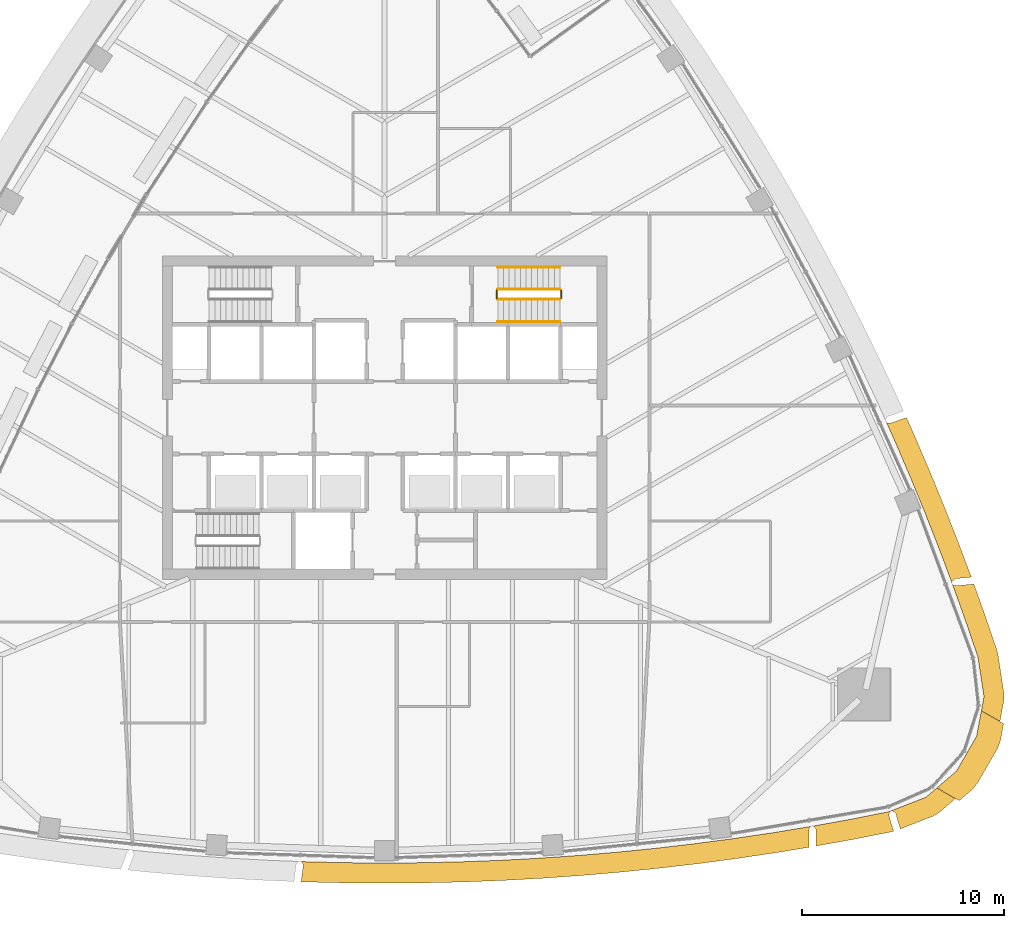
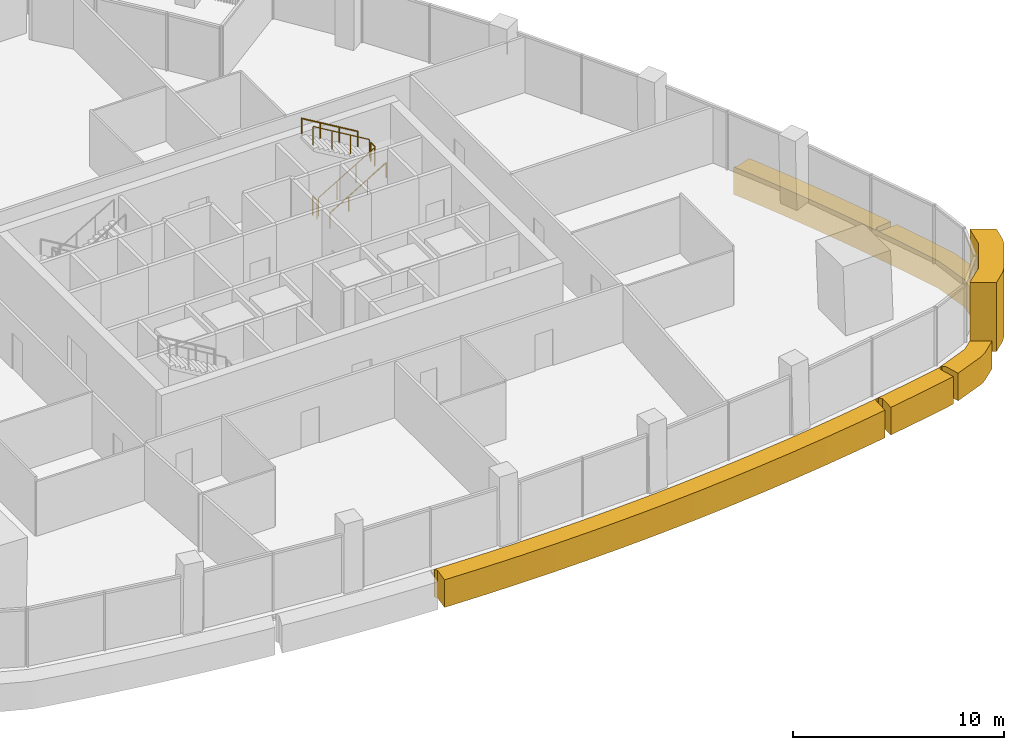
# One storey, part 16 of 19: 6 railings, 3 coverings.
"""IFC4 building model written with IfcOpenShell, lengths in metres."""

from ifc_helpers import new_model, si_unit, direction, frame, origin, origin_2d, place, context, subcontext, project, spatial, polyline, circle, outline, extrude, material, layer, layer_set, type_object, element, save


model = new_model("IFC4")

# Units and contexts
model_context = context("Model", 3, precision=1e-05, world=origin(), true_north=direction((0.0, 1.0)))
body_context = subcontext(model_context, "Body", "Model", "MODEL_VIEW")
ifc_project = project(units=[si_unit("LENGTHUNIT", "METRE"), si_unit("AREAUNIT", "SQUARE_METRE"), si_unit("VOLUMEUNIT", "CUBIC_METRE"), si_unit("PLANEANGLEUNIT", "RADIAN"), si_unit("MASSUNIT", "GRAM", prefix="KILO")], contexts=[model_context])

# Site, building, storey
site_placement = place(None, origin())
site = spatial("IfcSite", under=ifc_project, at=site_placement, CompositionType="ELEMENT")
building_placement = place(site_placement, origin())
building = spatial("IfcBuilding", under=site, at=building_placement, Name="Sierra Prisma Convention Tower", CompositionType="ELEMENT")
storey_placement = place(building_placement, frame((0.0, 0.0, 173.800048828125)))
storey = spatial("IfcBuildingStorey", under=building, at=storey_placement, Name="L38", CompositionType="ELEMENT", Elevation=173.800048828125)

# Coverings
ifc_material_1 = material(Name="Aluminium composite bronze anodised", Category="aluminium")
ifc_layer_1 = layer(ifc_material_1, 1.199951171875)
ifc_layer_set_1 = layer_set([ifc_layer_1], Name="Bronze corner pier")
covering_type_1 = type_object("IfcCoveringType", Name="Bronze corner pier", PredefinedType="CLADDING", material=ifc_layer_set_1)
covering_1_placement = place(storey_placement, frame((0.0, 0.0, -0.60009765625)))
element("IfcCovering", 1, at=covering_1_placement, inside=storey, type_object=covering_type_1, Name="Corner pier SE L38.1", PredefinedType="CLADDING", context=body_context, shape_type="SweptSolid", body=[
    extrude(outline(polyline([(30.472900390625, -15.98583984375), (30.332763671875, -16.3642578125), (29.338134765625, -18.086669921875), (29.08056640625, -18.397216796875), (28.430908203125, -18.954833984375), (27.329345703125, -18.319091796875), (28.299072265625, -17.48681640625), (29.29345703125, -15.764404296875), (29.529296875, -14.50830078125), (30.630859375, -15.144287109375), (30.472900390625, -15.98583984375)])), origin(), (0.0, 0.0, 1.0), 4.0),
])
ifc_material_2 = material(Name="Aluminium composite bronze anodised", Category="aluminium")
ifc_layer_2 = layer(ifc_material_2, 1.0)
ifc_layer_set_2 = layer_set([ifc_layer_2], Name="Bronze spandrel band")
covering_type_2 = type_object("IfcCoveringType", Name="Bronze spandrel band", PredefinedType="CLADDING", material=ifc_layer_set_2)
covering_2_placement = place(storey_placement, frame((0.0, 0.0, -1.60009765625)))
element("IfcCovering", 2, at=covering_2_placement, inside=storey, type_object=covering_type_2, Name="Spandrel band L38.4", PredefinedType="CLADDING", context=body_context, shape_type="SweptSolid", body=[
    extrude(outline(polyline([(28.33837890625, -6.0380859375), (29.01904296875, -7.845703125), (29.0244140625, -7.8603515625), (29.034912109375, -7.889892578125), (28.230712890625, -7.96923828125), (28.2255859375, -7.969970703125), (28.220947265625, -7.97119140625), (28.21630859375, -7.972900390625), (28.2119140625, -7.97509765625), (28.20751953125, -7.9775390625), (28.20361328125, -7.980712890625), (28.199951171875, -7.98388671875), (28.082275390625, -8.103759765625), (28.0791015625, -8.107421875), (28.076416015625, -8.111083984375), (28.073974609375, -8.115234375), (28.07177734375, -8.119384765625), (28.0703125, -8.123779296875), (28.069091796875, -8.12841796875), (28.068115234375, -8.13330078125), (28.06787109375, -8.137939453125), (28.068115234375, -8.142578125), (28.068603515625, -8.147216796875), (28.069580078125, -8.152099609375), (28.071044921875, -8.156494140625), (28.1064453125, -8.25), (28.1083984375, -8.254638671875), (28.11083984375, -8.2587890625), (28.113525390625, -8.262939453125), (28.11669921875, -8.2666015625), (28.120361328125, -8.270263671875), (28.124267578125, -8.273193359375), (28.12841796875, -8.27587890625), (28.1328125, -8.278076171875), (28.137451171875, -8.27978515625), (28.244384765625, -8.315185546875), (28.24951171875, -8.316650390625), (28.254638671875, -8.3173828125), (28.259765625, -8.317626953125), (28.264892578125, -8.3173828125), (29.15673828125, -8.2294921875), (29.676513671875, -9.67822265625), (29.681640625, -9.69287109375), (30.3056640625, -11.520751953125), (30.34765625, -11.692138671875), (30.649169921875, -13.657958984375), (30.6435546875, -13.994384765625), (30.44921875, -15.028076171875), (29.53125, -14.498046875), (29.66064453125, -13.8095703125), (29.359130859375, -11.84375), (28.7353515625, -10.015869140625), (28.0830078125, -8.197998046875), (27.402587890625, -6.390380859375), (26.694091796875, -4.59375), (25.95751953125, -2.808349609375), (25.193603515625, -1.03466796875), (24.83349609375, -0.233642578125), (24.83544921875, -0.236083984375), (24.8388671875, -0.239501953125), (24.84228515625, -0.24267578125), (24.846435546875, -0.24560546875), (24.8505859375, -0.247802734375), (24.85498046875, -0.25), (24.859619140625, -0.25146484375), (24.864501953125, -0.25244140625), (24.994384765625, -0.27587890625), (24.99951171875, -0.2763671875), (25.004638671875, -0.276611328125), (25.009765625, -0.276123046875), (25.014892578125, -0.275146484375), (25.019775390625, -0.273681640625), (25.822265625, 0.005859375), (26.105712890625, -0.624755859375), (26.11181640625, -0.638916015625), (26.8759765625, -2.412841796875), (26.882080078125, -2.427001953125), (27.618408203125, -4.21240234375), (27.62451171875, -4.22705078125), (28.3330078125, -6.023681640625), (28.33837890625, -6.0380859375)])), origin(), (0.0, 0.0, 1.0), 1.60009765625),
])
covering_3_placement = place(storey_placement, frame((0.0, 0.0, -1.60009765625)))
element("IfcCovering", 3, at=covering_3_placement, inside=storey, type_object=covering_type_2, Name="Spandrel band L38.5", PredefinedType="CLADDING", context=body_context, shape_type="SweptSolid", body=[
    extrude(outline(polyline([(25.292724609375, -19.58837890625), (25.291015625, -19.583740234375), (25.2890625, -19.5791015625), (25.286376953125, -19.57470703125), (25.283447265625, -19.57080078125), (25.280029296875, -19.56689453125), (25.2763671875, -19.563720703125), (25.159423828125, -19.46875), (25.155517578125, -19.4658203125), (25.1513671875, -19.46337890625), (25.147216796875, -19.461181640625), (25.142578125, -19.459716796875), (25.137939453125, -19.45849609375), (25.13330078125, -19.457763671875), (25.12841796875, -19.45751953125), (25.123779296875, -19.457763671875), (25.118896484375, -19.458251953125), (25.1142578125, -19.45947265625), (25.109619140625, -19.4609375), (25.0166015625, -19.497314453125), (25.01220703125, -19.499267578125), (25.0078125, -19.501708984375), (25.00390625, -19.50439453125), (25.000244140625, -19.507568359375), (24.996826171875, -19.510986328125), (24.993896484375, -19.514892578125), (24.9912109375, -19.518798828125), (24.989013671875, -19.523193359375), (24.9873046875, -19.52783203125), (24.986083984375, -19.532470703125), (24.9560546875, -19.6611328125), (24.955078125, -19.666259765625), (24.954833984375, -19.67138671875), (24.955078125, -19.676513671875), (24.95556640625, -19.681396484375), (24.956787109375, -19.6865234375), (25.185302734375, -20.468994140625), (25.1298828125, -20.485107421875), (23.235107421875, -20.858642578125), (23.219970703125, -20.861572265625), (21.34228515625, -21.201416015625), (21.351318359375, -20.3935546875), (21.35107421875, -20.388916015625), (21.3505859375, -20.384521484375), (21.349609375, -20.3798828125), (21.347900390625, -20.37548828125), (21.34619140625, -20.37109375), (21.343994140625, -20.3671875), (21.34130859375, -20.36328125), (21.24609375, -20.2353515625), (21.242919921875, -20.2314453125), (21.239501953125, -20.22802734375), (21.235595703125, -20.224853515625), (21.2314453125, -20.22216796875), (21.22705078125, -20.2197265625), (21.222412109375, -20.218017578125), (21.2177734375, -20.216552734375), (21.212890625, -20.215576171875), (21.2080078125, -20.215087890625), (21.202880859375, -20.21533203125), (21.197998046875, -20.2158203125), (21.099365234375, -20.232177734375), (21.09423828125, -20.233154296875), (21.08935546875, -20.23486328125), (21.084716796875, -20.23681640625), (21.080078125, -20.239501953125), (21.075927734375, -20.24267578125), (21.072021484375, -20.24609375), (21.068603515625, -20.25), (21.065673828125, -20.25390625), (21.06298828125, -20.258544921875), (21.0068359375, -20.367431640625), (21.0048828125, -20.37158203125), (21.00341796875, -20.3759765625), (21.002197265625, -20.380615234375), (21.00146484375, -20.385009765625), (21.001220703125, -20.3896484375), (20.99169921875, -21.260009765625), (19.3984375, -21.522705078125), (19.383056640625, -21.525146484375), (17.472900390625, -21.809814453125), (17.45751953125, -21.81201171875), (15.54296875, -22.06689453125), (15.527587890625, -22.069091796875), (13.609375, -22.294189453125), (13.593994140625, -22.2958984375), (11.67236328125, -22.490966796875), (11.656982421875, -22.492431640625), (9.732666015625, -22.65771484375), (9.717041015625, -22.658935546875), (7.79052734375, -22.794189453125), (7.77490234375, -22.795166015625), (5.846435546875, -22.900390625), (5.830810546875, -22.90087890625), (3.90087890625, -22.976318359375), (3.885498046875, -22.976806640625), (1.95458984375, -23.021728515625), (1.939208984375, -23.022216796875), (0.0078125, -23.037109375), (-0.0078125, -23.037109375), (-1.939208984375, -23.022216796875), (-1.95458984375, -23.021728515625), (-3.885498046875, -22.976806640625), (-3.90087890625, -22.976318359375), (-4.13134765625, -22.96728515625), (-4.02783203125, -22.152099609375), (-4.027587890625, -22.14697265625), (-4.027587890625, -22.14208984375), (-4.0283203125, -22.136962890625), (-4.029296875, -22.132080078125), (-4.031005859375, -22.127197265625), (-4.033203125, -22.122802734375), (-4.1025390625, -21.989013671875), (-4.10498046875, -21.98486328125), (-4.107666015625, -21.98095703125), (-4.11083984375, -21.977294921875), (-4.1142578125, -21.97412109375), (-4.117919921875, -21.97119140625), (-4.1220703125, -21.968505859375), (-4.125732421875, -21.966796875), (-3.862060546875, -21.97705078125), (-1.931396484375, -22.022216796875), (0.0, -22.037109375), (1.931396484375, -22.022216796875), (3.862060546875, -21.97705078125), (5.7919921875, -21.90185546875), (7.720458984375, -21.796630859375), (9.647216796875, -21.661376953125), (11.5712890625, -21.49609375), (13.492919921875, -21.30078125), (15.410888671875, -21.07568359375), (17.325439453125, -20.82080078125), (19.235595703125, -20.5361328125), (21.141357421875, -20.2216796875), (23.041748046875, -19.877685546875), (24.9365234375, -19.50390625), (26.789794921875, -18.781982421875), (27.3212890625, -18.325927734375), (28.2392578125, -18.855712890625), (27.441162109375, -19.541015625), (27.15283203125, -19.7138671875), (25.515625, -20.3515625), (25.292724609375, -19.58837890625)])), origin(), (0.0, 0.0, 1.0), 1.60009765625),
])

# Railings
ifc_material_3 = material(Name="Stainless steel", Category="steel")
railing_type_1 = type_object("IfcRailingType", Name="Exit stair handrail", PredefinedType="HANDRAIL", material=ifc_material_3)
railing_1_placement = place(storey_placement, frame((5.60009765625, 4.75, 0.16650390625)))
element("IfcRailing", 4, at=railing_1_placement, inside=storey, type_object=railing_type_1, Name="L38 S4 stair handrail 1", PredefinedType="HANDRAIL", context=body_context, shape_type="SweptSolid", body=[
    extrude(circle(Radius=0.02392578125, at=origin_2d()), frame((0.0, 0.0, 0.8759765625), z_axis=(0.859260807169, 0.0, 0.511537745687), x_axis=(0.0, 1.0, 0.0)), (0.0, 0.0, 1.0), 3.584228515625),
    extrude(circle(Radius=0.02099609375, at=origin_2d()), origin(), (0.0, 0.0, 1.0), 0.851806640625),
    extrude(circle(Radius=0.02099609375, at=origin_2d()), frame((1.026611328125, 0.0, 0.611083984375)), (0.0, 0.0, 1.0), 0.851806640625),
    extrude(circle(Radius=0.02099609375, at=origin_2d()), frame((2.05322265625, 0.0, 1.222412109375)), (0.0, 0.0, 1.0), 0.851806640625),
    extrude(circle(Radius=0.02099609375, at=origin_2d()), frame((3.079833984375, 0.0, 1.83349609375)), (0.0, 0.0, 1.0), 0.851806640625),
])
railing_2_placement = place(storey_placement, frame((8.679931640625, 7.449951171875, 2.16650390625)))
element("IfcRailing", 5, at=railing_2_placement, inside=storey, type_object=railing_type_1, Name="L38 S4 stair handrail 2", PredefinedType="HANDRAIL", context=body_context, shape_type="SweptSolid", body=[
    extrude(circle(Radius=0.02392578125, at=origin_2d()), frame((0.0, 0.0, 0.8759765625), z_axis=(-0.859260807169, 0.0, 0.511537745687), x_axis=(0.0, -1.0, 0.0)), (0.0, 0.0, 1.0), 3.584228515625),
    extrude(circle(Radius=0.02099609375, at=origin_2d()), origin(), (0.0, 0.0, 1.0), 0.851806640625),
    extrude(circle(Radius=0.02099609375, at=origin_2d()), frame((-1.026611328125, 0.0, 0.611083984375)), (0.0, 0.0, 1.0), 0.851806640625),
    extrude(circle(Radius=0.02099609375, at=origin_2d()), frame((-2.05322265625, 0.0, 1.222412109375)), (0.0, 0.0, 1.0), 0.851806640625),
    extrude(circle(Radius=0.02099609375, at=origin_2d()), frame((-3.079833984375, 0.0, 1.83349609375)), (0.0, 0.0, 1.0), 0.851806640625),
])
ifc_material_4 = material(Name="Stainless steel", Category="steel")
railing_type_2 = type_object("IfcRailingType", Name="Stair guard 1100", PredefinedType="GUARDRAIL", material=ifc_material_4)
railing_3_placement = place(storey_placement, frame((5.60009765625, 5.85009765625, 0.16650390625)))
element("IfcRailing", 6, at=railing_3_placement, inside=storey, type_object=railing_type_2, Name="L38 S4 stair guard 1", PredefinedType="GUARDRAIL", context=body_context, shape_type="SweptSolid", body=[
    extrude(circle(Radius=0.02392578125, at=origin_2d()), frame((0.0, 0.0, 1.076171875), z_axis=(0.859260807169, 0.0, 0.511537745687), x_axis=(0.0, 1.0, 0.0)), (0.0, 0.0, 1.0), 3.584228515625),
    extrude(circle(Radius=0.02099609375, at=origin_2d()), origin(), (0.0, 0.0, 1.0), 1.052001953125),
    extrude(circle(Radius=0.02099609375, at=origin_2d()), frame((1.026611328125, 0.0, 0.611083984375)), (0.0, 0.0, 1.0), 1.052001953125),
    extrude(circle(Radius=0.02099609375, at=origin_2d()), frame((2.05322265625, 0.0, 1.222412109375)), (0.0, 0.0, 1.0), 1.052001953125),
    extrude(circle(Radius=0.02099609375, at=origin_2d()), frame((3.079833984375, 0.0, 1.83349609375)), (0.0, 0.0, 1.0), 1.052001953125),
])
railing_4_placement = place(storey_placement, frame((8.72998046875, 5.89990234375, 2.0)))
element("IfcRailing", 7, at=railing_4_placement, inside=storey, type_object=railing_type_2, Name="L38 S4 stair guard 2", PredefinedType="GUARDRAIL", context=body_context, shape_type="SweptSolid", body=[
    extrude(circle(Radius=0.02392578125, at=origin_2d()), frame((0.0, 0.0, 1.076171875), z_axis=(0.0, 1.0, 0.0), x_axis=(-1.0, 0.0, 0.0)), (0.0, 0.0, 1.0), 0.400146484375),
    extrude(circle(Radius=0.02099609375, at=origin_2d()), origin(), (0.0, 0.0, 1.0), 1.052001953125),
    extrude(circle(Radius=0.02099609375, at=origin_2d()), frame((0.0, 0.400146484375, 0.0)), (0.0, 0.0, 1.0), 1.052001953125),
])
railing_5_placement = place(storey_placement, frame((8.679931640625, 6.35009765625, 2.16650390625)))
element("IfcRailing", 8, at=railing_5_placement, inside=storey, type_object=railing_type_2, Name="L38 S4 stair guard 3", PredefinedType="GUARDRAIL", context=body_context, shape_type="SweptSolid", body=[
    extrude(circle(Radius=0.02392578125, at=origin_2d()), frame((0.0, 0.0, 1.076171875), z_axis=(-0.859260807169, 0.0, 0.511537745687), x_axis=(0.0, -1.0, 0.0)), (0.0, 0.0, 1.0), 3.584228515625),
    extrude(circle(Radius=0.02099609375, at=origin_2d()), origin(), (0.0, 0.0, 1.0), 1.052001953125),
    extrude(circle(Radius=0.02099609375, at=origin_2d()), frame((-1.026611328125, 0.0, 0.611083984375)), (0.0, 0.0, 1.0), 1.052001953125),
    extrude(circle(Radius=0.02099609375, at=origin_2d()), frame((-2.05322265625, 0.0, 1.222412109375)), (0.0, 0.0, 1.0), 1.052001953125),
    extrude(circle(Radius=0.02099609375, at=origin_2d()), frame((-3.079833984375, 0.0, 1.83349609375)), (0.0, 0.0, 1.0), 1.052001953125),
])
railing_6_placement = place(storey_placement, frame((5.550048828125, 5.89990234375, 0.0)))
element("IfcRailing", 9, at=railing_6_placement, inside=storey, type_object=railing_type_2, Name="L38 S4 stair guard 4", PredefinedType="GUARDRAIL", context=body_context, shape_type="SweptSolid", body=[
    extrude(circle(Radius=0.02392578125, at=origin_2d()), frame((0.0, 0.0, 1.076171875), z_axis=(0.0, 1.0, 0.0), x_axis=(-1.0, 0.0, 0.0)), (0.0, 0.0, 1.0), 0.400146484375),
    extrude(circle(Radius=0.02099609375, at=origin_2d()), origin(), (0.0, 0.0, 1.0), 1.052001953125),
    extrude(circle(Radius=0.02099609375, at=origin_2d()), frame((0.0, 0.400146484375, 0.0)), (0.0, 0.0, 1.0), 1.052001953125),
])

save(model, "model.ifc")
